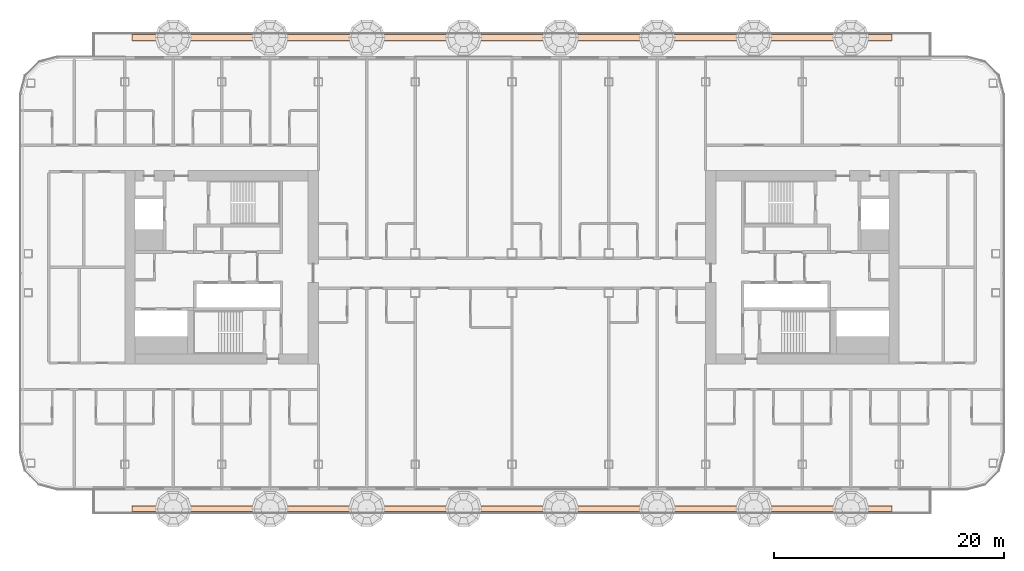
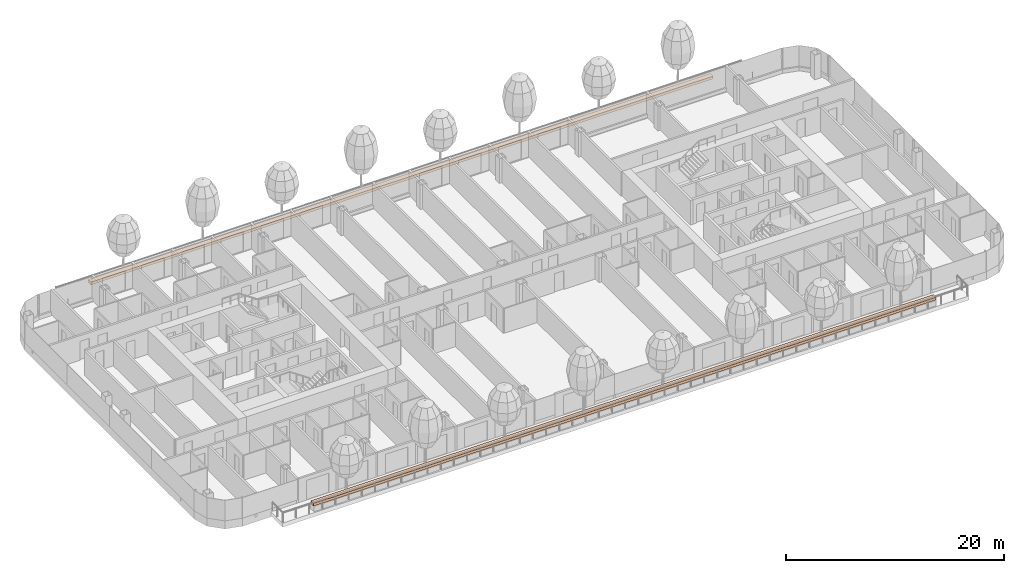
# One storey, part 29 of 32: 2 geographic elements.
"""IFC4 building model written with IfcOpenShell, lengths in metres."""

from ifc_helpers import new_model, si_unit, direction, frame, origin, origin_2d, place, context, subcontext, project, spatial, rectangle, extrude, material, type_object, element, save


model = new_model("IFC4")

# Units and contexts
model_context = context("Model", 3, precision=1e-05, world=origin(), true_north=direction((0.0, 1.0)))
body_context = subcontext(model_context, "Body", "Model", "MODEL_VIEW")
ifc_project = project(units=[si_unit("LENGTHUNIT", "METRE"), si_unit("AREAUNIT", "SQUARE_METRE"), si_unit("VOLUMEUNIT", "CUBIC_METRE"), si_unit("PLANEANGLEUNIT", "RADIAN"), si_unit("MASSUNIT", "GRAM", prefix="KILO")], contexts=[model_context])

# Site, building, storey
site_placement = place(None, origin())
site = spatial("IfcSite", under=ifc_project, at=site_placement, CompositionType="ELEMENT")
building_placement = place(site_placement, origin())
building = spatial("IfcBuilding", under=site, at=building_placement, Name="Hakoniwa Tower and Hamabe Station Hall", CompositionType="ELEMENT")
storey_placement = place(building_placement, frame((0.0, 0.0, 150.199951171875)))
storey = spatial("IfcBuildingStorey", under=building, at=storey_placement, Name="L42", CompositionType="ELEMENT", Elevation=150.199951171875)

# Geographic elements
ifc_material = material(Name="Shrub planting")
geographic_element_type = type_object("IfcGeographicElementType", Name="Shrub planting bed 500x300", PredefinedType="USERDEFINED", material=ifc_material)
for number, where, z_axis, x_axis, name in (
    (1, (0.0, 19.949951171875, 0.60009765625), (0.0, 0.0, 1.0), (1.0, 0.0, 0.0), "Shrub planting bed 500x300"),
    (2, (0.0, -20.949951171875, 0.60009765625), (0.0, 0.0, 1.0), (1.0, 0.0, 0.0), "Shrub planting bed 500x300"),
):
    element("IfcGeographicElement", number, at=place(storey_placement, frame(where, z_axis=z_axis, x_axis=x_axis)), inside=storey, type_object=geographic_element_type, Name=name, ObjectType="PLANTING", PredefinedType="USERDEFINED", context=body_context, shape_type="SweptSolid", body=[
        extrude(rectangle(XDim=66.0, YDim=0.5, at=origin_2d()), origin(), (0.0, 0.0, 1.0), 0.300048828125),
    ])

save(model, "model.ifc")
